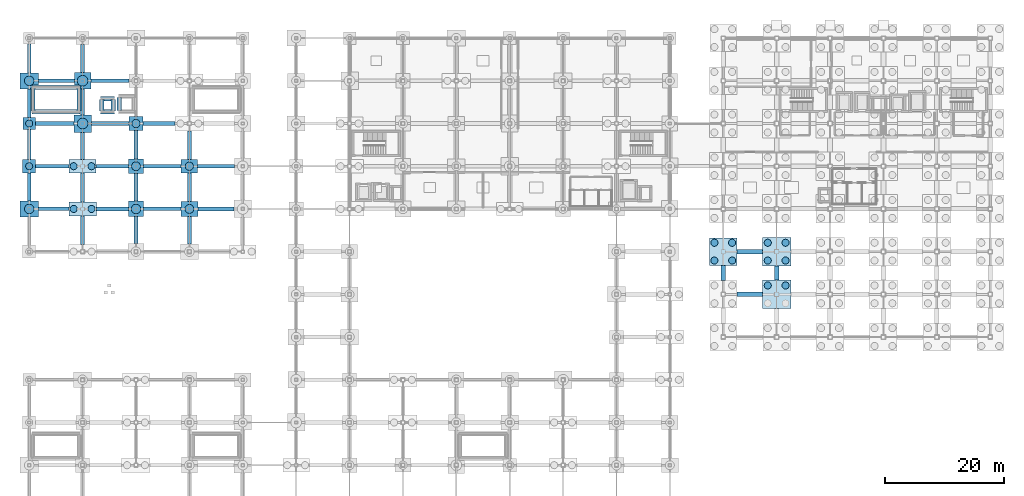
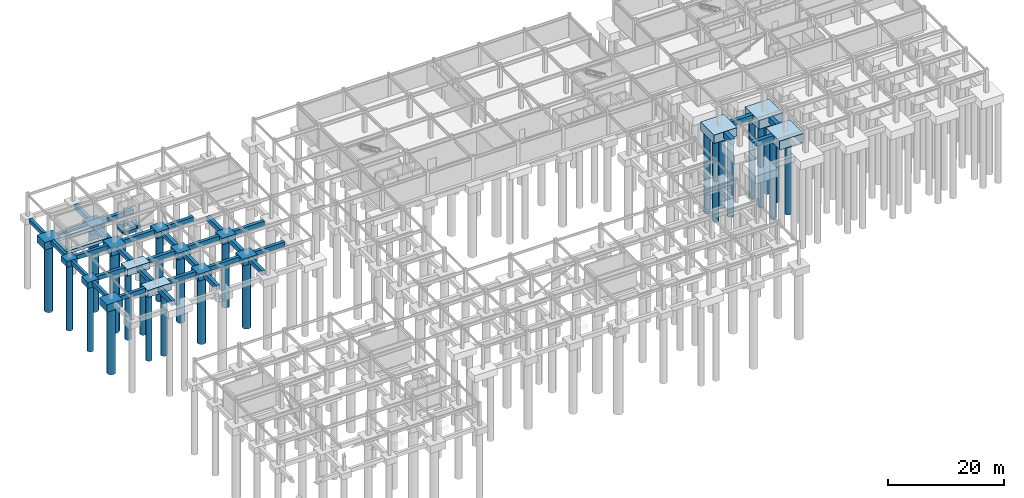
# One storey, part 5 of 28: 57 footings, 25 piles.
"""IFC4 building model written with IfcOpenShell, lengths in metres."""

import ifcopenshell
import ifcopenshell.guid

model = None  # the IFC model being written
_history = None  # IfcOwnerHistory: only IFC2X3 demands one
_inside = {}  # id of a spatial element -> (the spatial element, [elements in it])
_under = {}  # id of a project, library or spatial element -> (it, [spatial elements below it])
_declared = {}  # id of a project -> (the project, [libraries it declares])
_typed = {}  # id of a type object -> (the type object, [elements of that type])
_made_of = {}  # id of a material, layer set ... -> (it, [elements and type objects made of it])


def new_model(schema):
    """Start an empty IFC model of exactly this schema.

    Asked for "IFC4X3", IfcOpenShell would pick the latest addendum, in which some entities
    have other attributes; the version numbers below select the first issue.
    IFC2X3 requires an IfcOwnerHistory on every rooted entity: one is made here for all.
    """
    global model, _history
    if schema == "IFC4X3":
        model = ifcopenshell.file(schema_version=(4, 3, 0, 0))
    else:
        model = ifcopenshell.file(schema=schema)
    _inside.clear()
    _under.clear()
    _declared.clear()
    _typed.clear()
    _made_of.clear()
    _history = None
    if model.schema == "IFC2X3":
        org = make("IfcOrganization", Name="unknown")
        user = make(
            "IfcPersonAndOrganization",
            ThePerson=make("IfcPerson", FamilyName="unknown"),
            TheOrganization=org,
        )
        app = make(
            "IfcApplication",
            ApplicationDeveloper=org,
            Version="unknown",
            ApplicationFullName="unknown",
            ApplicationIdentifier="unknown",
        )
        _history = make(
            "IfcOwnerHistory",
            OwningUser=user,
            OwningApplication=app,
            ChangeAction="ADDED",
            CreationDate=0,
        )
    return model


def make(cls, **values):
    """One entity of the class cls with the attributes given. An attribute that is None is left unset."""
    return model.create_entity(
        cls, **{name: value for name, value in values.items() if value is not None}
    )


def rooted(cls, **values):
    """An entity with a GlobalId (a new one), such as an element, a storey or a relation."""
    return make(cls, GlobalId=ifcopenshell.guid.new(), OwnerHistory=_history, **values)


def si_unit(unit_type, name, prefix=None):
    """IfcSIUnit, for example si_unit("LENGTHUNIT", "METRE", prefix="MILLI")."""
    return make("IfcSIUnit", UnitType=unit_type, Prefix=prefix, Name=name)


def assignment(units):
    """IfcUnitAssignment: the units of a project."""
    return None if units is None else make("IfcUnitAssignment", Units=units)


def point(xyz):
    """IfcCartesianPoint."""
    return None if xyz is None else make("IfcCartesianPoint", Coordinates=xyz)


def direction(xyz):
    """IfcDirection."""
    return None if xyz is None else make("IfcDirection", DirectionRatios=xyz)


def frame(location, z_axis=None, x_axis=None):
    """IfcAxis2Placement3D, a coordinate frame: its origin and axes. An axis left out is left unset."""
    return make(
        "IfcAxis2Placement3D",
        Location=point(location),
        Axis=direction(z_axis),
        RefDirection=direction(x_axis),
    )


def frame_2d(location, x_axis=None):
    """IfcAxis2Placement2D, a coordinate frame in the plane: its origin and x axis."""
    return make(
        "IfcAxis2Placement2D", Location=point(location), RefDirection=direction(x_axis)
    )


def origin():
    """The frame at (0, 0, 0) with its axes left unset."""
    return frame((0.0, 0.0, 0.0))


def origin_2d():
    """The frame at (0, 0) in the plane with its x axis left unset."""
    return frame_2d((0.0, 0.0))


def place(relative_to, where):
    """IfcLocalPlacement: puts the frame where relative to a parent placement (None: the world)."""
    return make(
        "IfcLocalPlacement", PlacementRelTo=relative_to, RelativePlacement=where
    )


def context(
    kind, dimensions, precision=None, world=None, true_north=None, identifier=None
):
    """IfcGeometricRepresentationContext, for example the 3D "Model" context."""
    return make(
        "IfcGeometricRepresentationContext",
        ContextIdentifier=identifier,
        ContextType=kind,
        CoordinateSpaceDimension=dimensions,
        Precision=precision,
        WorldCoordinateSystem=world,
        TrueNorth=true_north,
    )


def subcontext(parent, identifier, kind, view, scale=None):
    """IfcGeometricRepresentationSubContext, for example "Body" below "Model"."""
    return make(
        "IfcGeometricRepresentationSubContext",
        ContextIdentifier=identifier,
        ContextType=kind,
        ParentContext=parent,
        TargetScale=scale,
        TargetView=view,
    )


def project(units=None, contexts=None):
    """IfcProject with its units and contexts."""
    return rooted(
        "IfcProject",
        Name="project",
        RepresentationContexts=contexts,
        UnitsInContext=assignment(units),
    )


def spatial(cls, under=None, at=None, **own):
    """A site, building, storey or space (cls), placed at a placement, below another one or the project."""
    s = rooted(cls, ObjectPlacement=at, **own)
    if under is not None:
        _under.setdefault(under.id(), (under, []))[1].append(s)
    return s


def profile(cls, at=None, kind="AREA", **sizes):
    """A parametric profile (cls). Its sizes go by their IFC names, for example OverallWidth=200.0."""
    return make(cls, ProfileType=kind, Position=at, **sizes)


def rectangle(**sizes):
    """IfcRectangleProfileDef."""
    return profile("IfcRectangleProfileDef", **sizes)


def circle(**sizes):
    """IfcCircleProfileDef."""
    return profile("IfcCircleProfileDef", **sizes)


def extrude(swept, where, along, depth):
    """IfcExtrudedAreaSolid: the profile swept, set in the frame where, extruded along a direction by depth."""
    return make(
        "IfcExtrudedAreaSolid",
        SweptArea=swept,
        Position=where,
        ExtrudedDirection=direction(along),
        Depth=depth,
    )


def shape(context_of_items, identifier, shape_type, items):
    """IfcShapeRepresentation: the items that make up one representation, for example the "Body"."""
    return make(
        "IfcShapeRepresentation",
        ContextOfItems=context_of_items,
        RepresentationIdentifier=identifier,
        RepresentationType=shape_type,
        Items=items,
    )


def material(Name=None, Category=None):
    """IfcMaterial."""
    return make("IfcMaterial", Name=Name, Category=Category)


def material_profile(
    of_material, cross_section, Name=None, Category=None, Priority=None
):
    """IfcMaterialProfile: a cross section and its material."""
    return make(
        "IfcMaterialProfile",
        Name=Name,
        Material=of_material,
        Profile=cross_section,
        Priority=Priority,
        Category=Category,
    )


def profile_set(profiles, Name=None, composite=None):
    """IfcMaterialProfileSet."""
    return make(
        "IfcMaterialProfileSet",
        Name=Name,
        MaterialProfiles=profiles,
        CompositeProfile=composite,
    )


def made_of(thing, what):
    """Note that an element or type object is made of a material, layer set ...; save() writes the relation."""
    if what is not None:
        _made_of.setdefault(what.id(), (what, []))[1].append(thing)
    return thing


def type_object(cls, material=None, **own):
    """A type object (cls), such as IfcWallType, which elements share."""
    return made_of(rooted(cls, **own), material)


def element(
    cls,
    number,
    at=None,
    inside=None,
    cuts=None,
    type_object=None,
    material=None,
    context=None,
    identifier="Body",
    shape_type=None,
    held_by="IfcProductDefinitionShape",
    body=None,
    shapes=None,
    **own,
):
    """One element of the class cls, such as IfcWall. Its Tag is "e" and its number.

    at: its placement. inside: the storey or other place that contains it. cuts: it is an
    opening in that element (IfcRelVoidsElement). A single representation is given by context,
    identifier, shape_type and body (its items); several are given by shapes. held_by: the class
    of the entity that holds the representations. save() writes the other relations.
    """
    e = rooted(cls, Tag="e%d" % number, ObjectPlacement=at, **own)
    if body is not None:
        shapes = [shape(context, identifier, shape_type, body)]
    if shapes is not None:
        e.Representation = make(held_by, Representations=shapes)
    if inside is not None:
        _inside.setdefault(inside.id(), (inside, []))[1].append(e)
    if cuts is not None:
        rooted(
            "IfcRelVoidsElement", RelatingBuildingElement=cuts, RelatedOpeningElement=e
        )
    if type_object is not None:
        _typed.setdefault(type_object.id(), (type_object, []))[1].append(e)
    return made_of(e, material)


def aggregate(whole, parts):
    """IfcRelAggregates: a whole, such as a stair, and the parts it consists of."""
    return rooted("IfcRelAggregates", RelatingObject=whole, RelatedObjects=parts)


def save(model, path):
    """Write the relations noted so far, then the file.

    IfcRelAggregates (storeys below a building ...), IfcRelContainedInSpatialStructure (elements
    in a storey), IfcRelDefinesByType, IfcRelAssociatesMaterial and IfcRelDeclares: one each for
    every whole, place, type object, material and project.
    """
    for whole, parts in _under.values():
        aggregate(whole, parts)
    for where, things in _inside.values():
        rooted(
            "IfcRelContainedInSpatialStructure",
            RelatedElements=things,
            RelatingStructure=where,
        )
    for kind, things in _typed.values():
        rooted("IfcRelDefinesByType", RelatedObjects=things, RelatingType=kind)
    for what, things in _made_of.values():
        rooted("IfcRelAssociatesMaterial", RelatedObjects=things, RelatingMaterial=what)
    for by, libraries in _declared.values():
        rooted("IfcRelDeclares", RelatingContext=by, RelatedDefinitions=libraries)
    model.write(path)


model = new_model("IFC4")

# Units and contexts
model_context = context("Model", 3, precision=1e-05, world=origin(), true_north=direction((0.0, 1.0)))
body_context = subcontext(model_context, "Body", "Model", "MODEL_VIEW")
ifc_project = project(units=[si_unit("LENGTHUNIT", "METRE"), si_unit("AREAUNIT", "SQUARE_METRE"), si_unit("VOLUMEUNIT", "CUBIC_METRE"), si_unit("PLANEANGLEUNIT", "RADIAN"), si_unit("MASSUNIT", "GRAM", prefix="KILO")], contexts=[model_context])

# Site, building, storey
site_placement = place(None, origin())
site = spatial("IfcSite", under=ifc_project, at=site_placement, CompositionType="ELEMENT")
building_placement = place(site_placement, origin())
building = spatial("IfcBuilding", under=site, at=building_placement, Name="Kazanami Central Library", CompositionType="ELEMENT")
storey_placement = place(building_placement, frame((0.0, 0.0, -4.89990234375)))
storey = spatial("IfcBuildingStorey", under=building, at=storey_placement, Name="B01", CompositionType="ELEMENT", Elevation=-4.89990234375)

# Footings
ifc_material = material(Name="Concrete Fc36 (36 MPa)", Category="concrete")
ifc_material_profile_1 = material_profile(ifc_material, rectangle(XDim=0.550048828125, YDim=0.85009765625, at=origin_2d()), Name="RC-550x850")
ifc_profile_set_1 = profile_set([ifc_material_profile_1], Name="Concrete Fc36 (36 MPa)")
footing_type_1 = type_object("IfcFootingType", Name="FTG-GB-01", PredefinedType="FOOTING_BEAM", material=ifc_profile_set_1)
footing_1_placement = place(storey_placement, frame((0.0, 66.14990234375, -0.425048828125), z_axis=(0.0, 1.0, 0.0), x_axis=(-1.0, 0.0, 0.0)))
element("IfcFooting", 1, at=footing_1_placement, inside=storey, type_object=footing_type_1, Name="Ground Tie Beam GB-01 1/K-L", PredefinedType="FOOTING_BEAM", context=body_context, shape_type="SweptSolid", body=[
    extrude(rectangle(XDim=0.550048828125, YDim=0.85009765625, at=origin_2d()), origin(), (0.0, 0.0, 1.0), 4.75),
])
footing_2_placement = place(storey_placement, frame((0.0, 73.10009765625, -0.425048828125), z_axis=(0.0, 1.0, 0.0), x_axis=(-1.0, 0.0, 0.0)))
element("IfcFooting", 2, at=footing_2_placement, inside=storey, type_object=footing_type_1, Name="Ground Tie Beam GB-01 1/L-M", PredefinedType="FOOTING_BEAM", context=body_context, shape_type="SweptSolid", body=[
    extrude(rectangle(XDim=0.550048828125, YDim=0.85009765625, at=origin_2d()), origin(), (0.0, 0.0, 1.0), 5.0498046875),
])
footing_3_placement = place(storey_placement, frame((0.0, 80.25, -0.425048828125), z_axis=(0.0, 1.0, 0.0), x_axis=(-1.0, 0.0, 0.0)))
element("IfcFooting", 3, at=footing_3_placement, inside=storey, type_object=footing_type_1, Name="Ground Tie Beam GB-01 1/M-N", PredefinedType="FOOTING_BEAM", context=body_context, shape_type="SweptSolid", body=[
    extrude(rectangle(XDim=0.550048828125, YDim=0.85009765625, at=origin_2d()), origin(), (0.0, 0.0, 1.0), 4.800048828125),
])
footing_4_placement = place(storey_placement, frame((0.0, 87.75, -0.425048828125), z_axis=(0.0, 1.0, 0.0), x_axis=(-1.0, 0.0, 0.0)))
element("IfcFooting", 4, at=footing_4_placement, inside=storey, type_object=footing_type_1, Name="Ground Tie Beam GB-01 1/N-O", PredefinedType="FOOTING_BEAM", context=body_context, shape_type="SweptSolid", body=[
    extrude(rectangle(XDim=0.550048828125, YDim=0.85009765625, at=origin_2d()), origin(), (0.0, 0.0, 1.0), 4.875),
])
ifc_material_profile_2 = material_profile(ifc_material, rectangle(XDim=0.60009765625, YDim=0.89990234375, at=origin_2d()), Name="RC-600x900")
ifc_profile_set_2 = profile_set([ifc_material_profile_2], Name="Concrete Fc36 (36 MPa)")
footing_type_2 = type_object("IfcFootingType", Name="FTG-GB-02", PredefinedType="FOOTING_BEAM", material=ifc_profile_set_2)
footing_5_placement = place(storey_placement, frame((1.550048828125, 64.800048828125, -0.4501953125), z_axis=(1.0, 0.0, 0.0), x_axis=(0.0, 1.0, 0.0)))
element("IfcFooting", 5, at=footing_5_placement, inside=storey, type_object=footing_type_2, Name="Ground Tie Beam GB-02 K/1-2", PredefinedType="FOOTING_BEAM", context=body_context, shape_type="SweptSolid", body=[
    extrude(rectangle(XDim=0.60009765625, YDim=0.89990234375, at=origin_2d()), origin(), (0.0, 0.0, 1.0), 5.125),
])
footing_6_placement = place(storey_placement, frame((19.300048828125, 64.800048828125, -0.4501953125), z_axis=(1.0, 0.0, 0.0), x_axis=(0.0, 1.0, 0.0)))
element("IfcFooting", 6, at=footing_6_placement, inside=storey, type_object=footing_type_2, Name="Ground Tie Beam GB-02 K/3-4", PredefinedType="FOOTING_BEAM", context=body_context, shape_type="SweptSolid", body=[
    extrude(rectangle(XDim=0.60009765625, YDim=0.89990234375, at=origin_2d()), origin(), (0.0, 0.0, 1.0), 6.25),
])
footing_7_placement = place(storey_placement, frame((1.10009765625, 72.0, -0.4501953125), z_axis=(1.0, 0.0, 0.0), x_axis=(0.0, 1.0, 0.0)))
element("IfcFooting", 7, at=footing_7_placement, inside=storey, type_object=footing_type_2, Name="Ground Tie Beam GB-02 L/1-2", PredefinedType="FOOTING_BEAM", context=body_context, shape_type="SweptSolid", body=[
    extrude(rectangle(XDim=0.60009765625, YDim=0.89990234375, at=origin_2d()), origin(), (0.0, 0.0, 1.0), 5.64990234375),
])
footing_8_placement = place(storey_placement, frame((19.25, 72.0, -0.4501953125), z_axis=(1.0, 0.0, 0.0), x_axis=(0.0, 1.0, 0.0)))
element("IfcFooting", 8, at=footing_8_placement, inside=storey, type_object=footing_type_2, Name="Ground Tie Beam GB-02 L/3-4", PredefinedType="FOOTING_BEAM", context=body_context, shape_type="SweptSolid", body=[
    extrude(rectangle(XDim=0.60009765625, YDim=0.89990234375, at=origin_2d()), origin(), (0.0, 0.0, 1.0), 6.375),
])
footing_9_placement = place(storey_placement, frame((1.050048828125, 79.199951171875, -0.4501953125), z_axis=(1.0, 0.0, 0.0), x_axis=(0.0, 1.0, 0.0)))
element("IfcFooting", 9, at=footing_9_placement, inside=storey, type_object=footing_type_2, Name="Ground Tie Beam GB-02 M/1-2", PredefinedType="FOOTING_BEAM", context=body_context, shape_type="SweptSolid", body=[
    extrude(rectangle(XDim=0.60009765625, YDim=0.89990234375, at=origin_2d()), origin(), (0.0, 0.0, 1.0), 6.474853515625),
])
footing_10_placement = place(storey_placement, frame((19.199951171875, 79.199951171875, -0.4501953125), z_axis=(1.0, 0.0, 0.0), x_axis=(0.0, 1.0, 0.0)))
element("IfcFooting", 10, at=footing_10_placement, inside=storey, type_object=footing_type_2, Name="Ground Tie Beam GB-02 M/3-4", PredefinedType="FOOTING_BEAM", context=body_context, shape_type="SweptSolid", body=[
    extrude(rectangle(XDim=0.60009765625, YDim=0.89990234375, at=origin_2d()), origin(), (0.0, 0.0, 1.0), 5.400146484375),
])
footing_11_placement = place(storey_placement, frame((1.550048828125, 86.39990234375, -0.4501953125), z_axis=(1.0, 0.0, 0.0), x_axis=(0.0, 1.0, 0.0)))
element("IfcFooting", 11, at=footing_11_placement, inside=storey, type_object=footing_type_2, Name="Ground Tie Beam GB-02 N/1-2", PredefinedType="FOOTING_BEAM", context=body_context, shape_type="SweptSolid", body=[
    extrude(rectangle(XDim=0.60009765625, YDim=0.89990234375, at=origin_2d()), origin(), (0.0, 0.0, 1.0), 6.050048828125),
])
ifc_material_profile_3 = material_profile(ifc_material, rectangle(XDim=0.64990234375, YDim=0.949951171875, at=origin_2d()), Name="RC-650x950")
ifc_profile_set_3 = profile_set([ifc_material_profile_3], Name="Concrete Fc36 (36 MPa)")
footing_type_3 = type_object("IfcFootingType", Name="FTG-GB-03", PredefinedType="FOOTING_BEAM", material=ifc_profile_set_3)
footing_12_placement = place(storey_placement, frame((11.324951171875, 64.800048828125, -0.47509765625), z_axis=(1.0, 0.0, 0.0), x_axis=(0.0, 1.0, 0.0)))
element("IfcFooting", 12, at=footing_12_placement, inside=storey, type_object=footing_type_3, Name="Ground Tie Beam GB-03 K/2-3", PredefinedType="FOOTING_BEAM", context=body_context, shape_type="SweptSolid", body=[
    extrude(rectangle(XDim=0.64990234375, YDim=0.949951171875, at=origin_2d()), origin(), (0.0, 0.0, 1.0), 5.375),
])
footing_13_placement = place(storey_placement, frame((28.449951171875, 64.800048828125, -0.47509765625), z_axis=(1.0, 0.0, 0.0), x_axis=(0.0, 1.0, 0.0)))
element("IfcFooting", 13, at=footing_13_placement, inside=storey, type_object=footing_type_3, Name="Ground Tie Beam GB-03 K/4-5", PredefinedType="FOOTING_BEAM", context=body_context, shape_type="SweptSolid", body=[
    extrude(rectangle(XDim=0.64990234375, YDim=0.949951171875, at=origin_2d()), origin(), (0.0, 0.0, 1.0), 6.074951171875),
])
footing_14_placement = place(storey_placement, frame((11.25, 72.0, -0.47509765625), z_axis=(1.0, 0.0, 0.0), x_axis=(0.0, 1.0, 0.0)))
element("IfcFooting", 14, at=footing_14_placement, inside=storey, type_object=footing_type_3, Name="Ground Tie Beam GB-03 L/2-3", PredefinedType="FOOTING_BEAM", context=body_context, shape_type="SweptSolid", body=[
    extrude(rectangle(XDim=0.64990234375, YDim=0.949951171875, at=origin_2d()), origin(), (0.0, 0.0, 1.0), 5.5),
])
footing_15_placement = place(storey_placement, frame((28.375, 72.0, -0.47509765625), z_axis=(1.0, 0.0, 0.0), x_axis=(0.0, 1.0, 0.0)))
element("IfcFooting", 15, at=footing_15_placement, inside=storey, type_object=footing_type_3, Name="Ground Tie Beam GB-03 L/4-5", PredefinedType="FOOTING_BEAM", context=body_context, shape_type="SweptSolid", body=[
    extrude(rectangle(XDim=0.64990234375, YDim=0.949951171875, at=origin_2d()), origin(), (0.0, 0.0, 1.0), 6.22509765625),
])
footing_16_placement = place(storey_placement, frame((10.47509765625, 79.199951171875, -0.47509765625), z_axis=(1.0, 0.0, 0.0), x_axis=(0.0, 1.0, 0.0)))
element("IfcFooting", 16, at=footing_16_placement, inside=storey, type_object=footing_type_3, Name="Ground Tie Beam GB-03 M/2-3", PredefinedType="FOOTING_BEAM", context=body_context, shape_type="SweptSolid", body=[
    extrude(rectangle(XDim=0.64990234375, YDim=0.949951171875, at=origin_2d()), origin(), (0.0, 0.0, 1.0), 6.324951171875),
])
footing_17_placement = place(storey_placement, frame((10.39990234375, 86.39990234375, -0.47509765625), z_axis=(1.0, 0.0, 0.0), x_axis=(0.0, 1.0, 0.0)))
element("IfcFooting", 17, at=footing_17_placement, inside=storey, type_object=footing_type_3, Name="Ground Tie Beam GB-03 N/2-3", PredefinedType="FOOTING_BEAM", context=body_context, shape_type="SweptSolid", body=[
    extrude(rectangle(XDim=0.64990234375, YDim=0.949951171875, at=origin_2d()), origin(), (0.0, 0.0, 1.0), 6.4501953125),
])
ifc_material_profile_4 = material_profile(ifc_material, rectangle(XDim=0.699951171875, YDim=1.0, at=origin_2d()), Name="RC-700x1000")
ifc_profile_set_4 = profile_set([ifc_material_profile_4], Name="Concrete Fc36 (36 MPa)")
footing_type_4 = type_object("IfcFootingType", Name="FTG-GB-04", PredefinedType="FOOTING_BEAM", material=ifc_profile_set_4)
footing_18_placement = place(storey_placement, frame((9.0, 58.824951171875, -0.5), z_axis=(0.0, 1.0, 0.0), x_axis=(-1.0, 0.0, 0.0)))
element("IfcFooting", 18, at=footing_18_placement, inside=storey, type_object=footing_type_4, Name="Ground Tie Beam GB-04 2/J-K", PredefinedType="FOOTING_BEAM", context=body_context, shape_type="SweptSolid", body=[
    extrude(rectangle(XDim=0.699951171875, YDim=1.0, at=origin_2d()), origin(), (0.0, 0.0, 1.0), 4.800048828125),
])
footing_19_placement = place(storey_placement, frame((9.0, 65.97509765625, -0.5), z_axis=(0.0, 1.0, 0.0), x_axis=(-1.0, 0.0, 0.0)))
element("IfcFooting", 19, at=footing_19_placement, inside=storey, type_object=footing_type_4, Name="Ground Tie Beam GB-04 2/K-L", PredefinedType="FOOTING_BEAM", context=body_context, shape_type="SweptSolid", body=[
    extrude(rectangle(XDim=0.699951171875, YDim=1.0, at=origin_2d()), origin(), (0.0, 0.0, 1.0), 4.89990234375),
])
footing_20_placement = place(storey_placement, frame((9.0, 73.125, -0.5), z_axis=(0.0, 1.0, 0.0), x_axis=(-1.0, 0.0, 0.0)))
element("IfcFooting", 20, at=footing_20_placement, inside=storey, type_object=footing_type_4, Name="Ground Tie Beam GB-04 2/L-M", PredefinedType="FOOTING_BEAM", context=body_context, shape_type="SweptSolid", body=[
    extrude(rectangle(XDim=0.699951171875, YDim=1.0, at=origin_2d()), origin(), (0.0, 0.0, 1.0), 4.60009765625),
])
footing_21_placement = place(storey_placement, frame((9.0, 80.675048828125, -0.5), z_axis=(0.0, 1.0, 0.0), x_axis=(-1.0, 0.0, 0.0)))
element("IfcFooting", 21, at=footing_21_placement, inside=storey, type_object=footing_type_4, Name="Ground Tie Beam GB-04 2/M-N", PredefinedType="FOOTING_BEAM", context=body_context, shape_type="SweptSolid", body=[
    extrude(rectangle(XDim=0.699951171875, YDim=1.0, at=origin_2d()), origin(), (0.0, 0.0, 1.0), 4.324951171875),
])
footing_22_placement = place(storey_placement, frame((9.0, 87.800048828125, -0.5), z_axis=(0.0, 1.0, 0.0), x_axis=(-1.0, 0.0, 0.0)))
element("IfcFooting", 22, at=footing_22_placement, inside=storey, type_object=footing_type_4, Name="Ground Tie Beam GB-04 2/N-O", PredefinedType="FOOTING_BEAM", context=body_context, shape_type="SweptSolid", body=[
    extrude(rectangle(XDim=0.699951171875, YDim=1.0, at=origin_2d()), origin(), (0.0, 0.0, 1.0), 4.699951171875),
])
footing_23_placement = place(storey_placement, frame((18.0, 58.949951171875, -0.5), z_axis=(0.0, 1.0, 0.0), x_axis=(-1.0, 0.0, 0.0)))
element("IfcFooting", 23, at=footing_23_placement, inside=storey, type_object=footing_type_4, Name="Ground Tie Beam GB-04 3/J-K", PredefinedType="FOOTING_BEAM", context=body_context, shape_type="SweptSolid", body=[
    extrude(rectangle(XDim=0.699951171875, YDim=1.0, at=origin_2d()), origin(), (0.0, 0.0, 1.0), 4.550048828125),
])
footing_24_placement = place(storey_placement, frame((18.0, 66.10009765625, -0.5), z_axis=(0.0, 1.0, 0.0), x_axis=(-1.0, 0.0, 0.0)))
element("IfcFooting", 24, at=footing_24_placement, inside=storey, type_object=footing_type_4, Name="Ground Tie Beam GB-04 3/K-L", PredefinedType="FOOTING_BEAM", context=body_context, shape_type="SweptSolid", body=[
    extrude(rectangle(XDim=0.699951171875, YDim=1.0, at=origin_2d()), origin(), (0.0, 0.0, 1.0), 4.64990234375),
])
footing_25_placement = place(storey_placement, frame((18.0, 73.25, -0.5), z_axis=(0.0, 1.0, 0.0), x_axis=(-1.0, 0.0, 0.0)))
element("IfcFooting", 25, at=footing_25_placement, inside=storey, type_object=footing_type_4, Name="Ground Tie Beam GB-04 3/L-M", PredefinedType="FOOTING_BEAM", context=body_context, shape_type="SweptSolid", body=[
    extrude(rectangle(XDim=0.699951171875, YDim=1.0, at=origin_2d()), origin(), (0.0, 0.0, 1.0), 4.75),
])
footing_26_placement = place(storey_placement, frame((27.0, 58.89990234375, -0.5), z_axis=(0.0, 1.0, 0.0), x_axis=(-1.0, 0.0, 0.0)))
element("IfcFooting", 26, at=footing_26_placement, inside=storey, type_object=footing_type_4, Name="Ground Tie Beam GB-04 4/J-K", PredefinedType="FOOTING_BEAM", context=body_context, shape_type="SweptSolid", body=[
    extrude(rectangle(XDim=0.699951171875, YDim=1.0, at=origin_2d()), origin(), (0.0, 0.0, 1.0), 4.650146484375),
])
footing_27_placement = place(storey_placement, frame((27.0, 66.050048828125, -0.5), z_axis=(0.0, 1.0, 0.0), x_axis=(-1.0, 0.0, 0.0)))
element("IfcFooting", 27, at=footing_27_placement, inside=storey, type_object=footing_type_4, Name="Ground Tie Beam GB-04 4/K-L", PredefinedType="FOOTING_BEAM", context=body_context, shape_type="SweptSolid", body=[
    extrude(rectangle(XDim=0.699951171875, YDim=1.0, at=origin_2d()), origin(), (0.0, 0.0, 1.0), 4.77490234375),
])
footing_28_placement = place(storey_placement, frame((27.0, 73.175048828125, -0.5), z_axis=(0.0, 1.0, 0.0), x_axis=(-1.0, 0.0, 0.0)))
element("IfcFooting", 28, at=footing_28_placement, inside=storey, type_object=footing_type_4, Name="Ground Tie Beam GB-04 4/L-M", PredefinedType="FOOTING_BEAM", context=body_context, shape_type="SweptSolid", body=[
    extrude(rectangle(XDim=0.699951171875, YDim=1.0, at=origin_2d()), origin(), (0.0, 0.0, 1.0), 4.800048828125),
])
ifc_material_profile_5 = material_profile(ifc_material, rectangle(XDim=0.75, YDim=1.050048828125, at=origin_2d()), Name="RC-750x1050")
ifc_profile_set_5 = profile_set([ifc_material_profile_5], Name="Concrete Fc36 (36 MPa)")
footing_type_5 = type_object("IfcFootingType", Name="FTG-GB-05", PredefinedType="FOOTING_BEAM", material=ifc_profile_set_5)
for number, where, z_axis, x_axis, name in (
    (29, (119.324951171875, 50.39990234375, -0.525146484375), (1.0, 0.0, 0.0), (0.0, 1.0, 0.0), "Ground Tie Beam GB-05 H/14-15"),
    (30, (119.324951171875, 57.60009765625, -0.525146484375), (1.0, 0.0, 0.0), (0.0, 1.0, 0.0), "Ground Tie Beam GB-05 J/14-15"),
):
    element("IfcFooting", number, at=place(storey_placement, frame(where, z_axis=z_axis, x_axis=x_axis)), inside=storey, type_object=footing_type_5, Name=name, PredefinedType="FOOTING_BEAM", context=body_context, shape_type="SweptSolid", body=[
        extrude(rectangle(XDim=0.75, YDim=1.050048828125, at=origin_2d()), origin(), (0.0, 0.0, 1.0), 4.275146484375),
    ])
ifc_material_profile_6 = material_profile(ifc_material, rectangle(XDim=0.800048828125, YDim=1.14990234375, at=origin_2d()), Name="RC-800x1150")
ifc_profile_set_6 = profile_set([ifc_material_profile_6], Name="Concrete Fc36 (36 MPa)")
footing_type_6 = type_object("IfcFootingType", Name="FTG-GB-06", PredefinedType="FOOTING_BEAM", material=ifc_profile_set_6)
footing_29_placement = place(storey_placement, frame((117.0, 52.72509765625, -0.5751953125), z_axis=(0.0, 1.0, 0.0), x_axis=(-1.0, 0.0, 0.0)))
element("IfcFooting", 31, at=footing_29_placement, inside=storey, type_object=footing_type_6, Name="Ground Tie Beam GB-06 14/H-J", PredefinedType="FOOTING_BEAM", context=body_context, shape_type="SweptSolid", body=[
    extrude(rectangle(XDim=0.800048828125, YDim=1.14990234375, at=origin_2d()), origin(), (0.0, 0.0, 1.0), 2.5498046875),
])
footing_30_placement = place(storey_placement, frame((126.0, 52.800048828125, -0.5751953125), z_axis=(0.0, 1.0, 0.0), x_axis=(-1.0, 0.0, 0.0)))
element("IfcFooting", 32, at=footing_30_placement, inside=storey, type_object=footing_type_6, Name="Ground Tie Beam GB-06 15/H-J", PredefinedType="FOOTING_BEAM", context=body_context, shape_type="SweptSolid", body=[
    extrude(rectangle(XDim=0.800048828125, YDim=1.14990234375, at=origin_2d()), origin(), (0.0, 0.0, 1.0), 2.39990234375),
])
footing_type_7 = type_object("IfcFootingType", Name="FTG-PC-01", PredefinedType="PILE_CAP", material=ifc_material)
for number, where, z_axis, x_axis, name in (
    (33, (126.0, 50.39990234375, -1.85009765625), (0.0, 0.0, 1.0), (1.0, 0.0, 0.0), "Pile Cap PC-01 at 15/H"),
    (34, (126.0, 57.60009765625, -1.85009765625), (0.0, 0.0, 1.0), (1.0, 0.0, 0.0), "Pile Cap PC-01 at 15/J"),
):
    element("IfcFooting", number, at=place(storey_placement, frame(where, z_axis=z_axis, x_axis=x_axis)), inside=storey, type_object=footing_type_7, Name=name, PredefinedType="PILE_CAP", context=body_context, shape_type="SweptSolid", body=[
        extrude(rectangle(XDim=4.800048828125, YDim=4.800048828125, at=origin_2d()), origin(), (0.0, 0.0, 1.0), 1.85009765625),
    ])
footing_type_8 = type_object("IfcFootingType", Name="FTG-PC-02", PredefinedType="PILE_CAP", material=ifc_material)
footing_31_placement = place(storey_placement, frame((117.0, 57.60009765625, -1.75), z_axis=(0.0, 0.0, 1.0), x_axis=(1.0, 0.0, 0.0)))
element("IfcFooting", 35, at=footing_31_placement, inside=storey, type_object=footing_type_8, Name="Pile Cap PC-02 at 14/J", PredefinedType="PILE_CAP", context=body_context, shape_type="SweptSolid", body=[
    extrude(rectangle(XDim=4.64990234375, YDim=4.64990234375, at=origin_2d()), origin(), (0.0, 0.0, 1.0), 1.75),
])
footing_type_9 = type_object("IfcFootingType", Name="FTG-PC-05", PredefinedType="PILE_CAP", material=ifc_material)
footing_32_placement = place(storey_placement, frame((9.0, 64.800048828125, -1.47998046875), z_axis=(0.0, 0.0, 1.0), x_axis=(1.0, 0.0, 0.0)))
element("IfcFooting", 36, at=footing_32_placement, inside=storey, type_object=footing_type_9, Name="Pile Cap PC-05 at 2/K", PredefinedType="PILE_CAP", context=body_context, shape_type="SweptSolid", body=[
    extrude(rectangle(XDim=4.64990234375, YDim=2.35009765625, at=origin_2d()), origin(), (0.0, 0.0, 1.0), 1.47998046875),
])
footing_type_10 = type_object("IfcFootingType", Name="FTG-PC-06", PredefinedType="PILE_CAP", material=ifc_material)
footing_33_placement = place(storey_placement, frame((9.0, 72.0, -1.420166015625), z_axis=(0.0, 0.0, 1.0), x_axis=(1.0, 0.0, 0.0)))
element("IfcFooting", 37, at=footing_33_placement, inside=storey, type_object=footing_type_10, Name="Pile Cap PC-06 at 2/L", PredefinedType="PILE_CAP", context=body_context, shape_type="SweptSolid", body=[
    extrude(rectangle(XDim=4.5, YDim=2.25, at=origin_2d()), origin(), (0.0, 0.0, 1.0), 1.419921875),
])
footing_type_11 = type_object("IfcFootingType", Name="FTG-PC-07", PredefinedType="PILE_CAP", material=ifc_material)
footing_34_placement = place(storey_placement, frame((9.0, 79.199951171875, -1.650146484375), z_axis=(0.0, 0.0, 1.0), x_axis=(1.0, 0.0, 0.0)))
element("IfcFooting", 38, at=footing_34_placement, inside=storey, type_object=footing_type_11, Name="Pile Cap PC-07 at 2/M", PredefinedType="PILE_CAP", context=body_context, shape_type="SweptSolid", body=[
    extrude(rectangle(XDim=2.949951171875, YDim=2.949951171875, at=origin_2d()), origin(), (0.0, 0.0, 1.0), 1.64990234375),
])
footing_type_12 = type_object("IfcFootingType", Name="FTG-PC-08", PredefinedType="PILE_CAP", material=ifc_material)
footing_35_placement = place(storey_placement, frame((9.0, 86.39990234375, -1.60009765625), z_axis=(0.0, 0.0, 1.0), x_axis=(1.0, 0.0, 0.0)))
element("IfcFooting", 39, at=footing_35_placement, inside=storey, type_object=footing_type_12, Name="Pile Cap PC-08 at 2/N", PredefinedType="PILE_CAP", context=body_context, shape_type="SweptSolid", body=[
    extrude(rectangle(XDim=2.800048828125, YDim=2.800048828125, at=origin_2d()), origin(), (0.0, 0.0, 1.0), 1.60009765625),
])
footing_type_13 = type_object("IfcFootingType", Name="FTG-PC-10", PredefinedType="PILE_CAP", material=ifc_material)
footing_36_placement = place(storey_placement, frame((18.0, 64.800048828125, -1.47998046875), z_axis=(0.0, 0.0, 1.0), x_axis=(1.0, 0.0, 0.0)))
element("IfcFooting", 40, at=footing_36_placement, inside=storey, type_object=footing_type_13, Name="Pile Cap PC-10 at 3/K", PredefinedType="PILE_CAP", context=body_context, shape_type="SweptSolid", body=[
    extrude(rectangle(XDim=2.60009765625, YDim=2.60009765625, at=origin_2d()), origin(), (0.0, 0.0, 1.0), 1.47998046875),
])
footing_type_14 = type_object("IfcFootingType", Name="FTG-PC-11", PredefinedType="PILE_CAP", material=ifc_material)
footing_37_placement = place(storey_placement, frame((18.0, 72.0, -1.420166015625), z_axis=(0.0, 0.0, 1.0), x_axis=(1.0, 0.0, 0.0)))
element("IfcFooting", 41, at=footing_37_placement, inside=storey, type_object=footing_type_14, Name="Pile Cap PC-11 at 3/L", PredefinedType="PILE_CAP", context=body_context, shape_type="SweptSolid", body=[
    extrude(rectangle(XDim=2.5, YDim=2.5, at=origin_2d()), origin(), (0.0, 0.0, 1.0), 1.419921875),
])
footing_type_15 = type_object("IfcFootingType", Name="FTG-PC-12", PredefinedType="PILE_CAP", material=ifc_material)
footing_38_placement = place(storey_placement, frame((18.0, 79.199951171875, -1.3603515625), z_axis=(0.0, 0.0, 1.0), x_axis=(1.0, 0.0, 0.0)))
element("IfcFooting", 42, at=footing_38_placement, inside=storey, type_object=footing_type_15, Name="Pile Cap PC-12 at 3/M", PredefinedType="PILE_CAP", context=body_context, shape_type="SweptSolid", body=[
    extrude(rectangle(XDim=2.39990234375, YDim=2.39990234375, at=origin_2d()), origin(), (0.0, 0.0, 1.0), 1.360107421875),
])
footing_type_16 = type_object("IfcFootingType", Name="FTG-PC-14", PredefinedType="PILE_CAP", material=ifc_material)
footing_39_placement = place(storey_placement, frame((0.0, 72.0, -1.25), z_axis=(0.0, 0.0, 1.0), x_axis=(1.0, 0.0, 0.0)))
element("IfcFooting", 43, at=footing_39_placement, inside=storey, type_object=footing_type_16, Name="Pile Cap PC-14 at 1/L", PredefinedType="PILE_CAP", context=body_context, shape_type="SweptSolid", body=[
    extrude(rectangle(XDim=2.199951171875, YDim=2.199951171875, at=origin_2d()), origin(), (0.0, 0.0, 1.0), 1.25),
])
footing_type_17 = type_object("IfcFootingType", Name="FTG-PC-15", PredefinedType="PILE_CAP", material=ifc_material)
footing_40_placement = place(storey_placement, frame((0.0, 79.199951171875, -1.2001953125), z_axis=(0.0, 0.0, 1.0), x_axis=(1.0, 0.0, 0.0)))
element("IfcFooting", 44, at=footing_40_placement, inside=storey, type_object=footing_type_17, Name="Pile Cap PC-15 at 1/M", PredefinedType="PILE_CAP", context=body_context, shape_type="SweptSolid", body=[
    extrude(rectangle(XDim=2.10009765625, YDim=2.10009765625, at=origin_2d()), origin(), (0.0, 0.0, 1.0), 1.199951171875),
])
footing_type_18 = type_object("IfcFootingType", Name="FTG-PC-17", PredefinedType="PILE_CAP", material=ifc_material)
for number, where, z_axis, x_axis, name in (
    (45, (0.0, 64.800048828125, -1.580078125), (0.0, 0.0, 1.0), (1.0, 0.0, 0.0), "Pile Cap PC-17 at 1/K"),
    (46, (0.0, 86.39990234375, -1.580078125), (0.0, 0.0, 1.0), (1.0, 0.0, 0.0), "Pile Cap PC-17 at 1/N"),
):
    element("IfcFooting", number, at=place(storey_placement, frame(where, z_axis=z_axis, x_axis=x_axis)), inside=storey, type_object=footing_type_18, Name=name, PredefinedType="PILE_CAP", context=body_context, shape_type="SweptSolid", body=[
        extrude(rectangle(XDim=3.10009765625, YDim=2.699951171875, at=origin_2d()), origin(), (0.0, 0.0, 1.0), 1.580078125),
    ])
footing_type_19 = type_object("IfcFootingType", Name="FTG-PC-19", PredefinedType="PILE_CAP", material=ifc_material)
footing_41_placement = place(storey_placement, frame((27.0, 64.800048828125, -1.440185546875), z_axis=(0.0, 0.0, 1.0), x_axis=(1.0, 0.0, 0.0)))
element("IfcFooting", 47, at=footing_41_placement, inside=storey, type_object=footing_type_19, Name="Pile Cap PC-19 at 4/K", PredefinedType="PILE_CAP", context=body_context, shape_type="SweptSolid", body=[
    extrude(rectangle(XDim=2.89990234375, YDim=2.5, at=origin_2d()), origin(), (0.0, 0.0, 1.0), 1.43994140625),
])
footing_type_20 = type_object("IfcFootingType", Name="FTG-PC-20", PredefinedType="PILE_CAP", material=ifc_material)
footing_42_placement = place(storey_placement, frame((27.0, 72.0, -1.380126953125), z_axis=(0.0, 0.0, 1.0), x_axis=(1.0, 0.0, 0.0)))
element("IfcFooting", 48, at=footing_42_placement, inside=storey, type_object=footing_type_20, Name="Pile Cap PC-20 at 4/L", PredefinedType="PILE_CAP", context=body_context, shape_type="SweptSolid", body=[
    extrude(rectangle(XDim=2.75, YDim=2.35009765625, at=origin_2d()), origin(), (0.0, 0.0, 1.0), 1.3798828125),
])
ifc_material_profile_7 = material_profile(ifc_material, rectangle(XDim=0.75, YDim=0.64990234375, at=origin_2d()), Name="RC-750x650")
ifc_profile_set_7 = profile_set([ifc_material_profile_7], Name="Concrete Fc36 (36 MPa)")
footing_type_21 = type_object("IfcFootingType", Name="FTG-SF-750", PredefinedType="STRIP_FOOTING", material=ifc_profile_set_7)
for number, where, z_axis, x_axis, name in (
    (49, (0.449951171875, 81.199951171875, -0.3251953125), (1.0, 0.0, 0.0), (0.0, 1.0, 0.0), "Stair Core Strip Footing ST-05 S"),
    (50, (0.449951171875, 85.300048828125, -0.3251953125), (1.0, 0.0, 0.0), (0.0, 1.0, 0.0), "Stair Core Strip Footing ST-05 N"),
):
    element("IfcFooting", number, at=place(storey_placement, frame(where, z_axis=z_axis, x_axis=x_axis)), inside=storey, type_object=footing_type_21, Name=name, PredefinedType="STRIP_FOOTING", context=body_context, shape_type="SweptSolid", body=[
        extrude(rectangle(XDim=0.75, YDim=0.64990234375, at=origin_2d()), origin(), (0.0, 0.0, 1.0), 8.10009765625),
    ])
for number, where, z_axis, x_axis, name in (
    (51, (0.60009765625, 81.35009765625, -0.3251953125), (0.0, 1.0, 0.0), (-1.0, 0.0, 0.0), "Stair Core Strip Footing ST-05 W"),
    (52, (8.39990234375, 81.35009765625, -0.3251953125), (0.0, 1.0, 0.0), (-1.0, 0.0, 0.0), "Stair Core Strip Footing ST-05 E"),
):
    element("IfcFooting", number, at=place(storey_placement, frame(where, z_axis=z_axis, x_axis=x_axis)), inside=storey, type_object=footing_type_21, Name=name, PredefinedType="STRIP_FOOTING", context=body_context, shape_type="SweptSolid", body=[
        extrude(rectangle(XDim=0.75, YDim=0.64990234375, at=origin_2d()), origin(), (0.0, 0.0, 1.0), 3.7998046875),
    ])
footing_43_placement = place(storey_placement, frame((15.199951171875, 81.375, -0.3251953125), z_axis=(0.0, 1.0, 0.0), x_axis=(-1.0, 0.0, 0.0)))
element("IfcFooting", 53, at=footing_43_placement, inside=storey, type_object=footing_type_21, Name="Lift Pit Strip Footing EL-P4 W", PredefinedType="STRIP_FOOTING", context=body_context, shape_type="SweptSolid", body=[
    extrude(rectangle(XDim=0.75, YDim=0.64990234375, at=origin_2d()), origin(), (0.0, 0.0, 1.0), 2.25),
])
for number, where, z_axis, x_axis, name in (
    (54, (12.050048828125, 81.199951171875, -0.3251953125), (1.0, 0.0, 0.0), (0.0, 1.0, 0.0), "Riser Shaft Strip Footing RSR-V4-A S"),
    (55, (12.050048828125, 83.39990234375, -0.3251953125), (1.0, 0.0, 0.0), (0.0, 1.0, 0.0), "Riser Shaft Strip Footing RSR-V4-A N"),
):
    element("IfcFooting", number, at=place(storey_placement, frame(where, z_axis=z_axis, x_axis=x_axis)), inside=storey, type_object=footing_type_21, Name=name, PredefinedType="STRIP_FOOTING", context=body_context, shape_type="SweptSolid", body=[
        extrude(rectangle(XDim=0.75, YDim=0.64990234375, at=origin_2d()), origin(), (0.0, 0.0, 1.0), 2.300048828125),
    ])
for number, where, z_axis, x_axis, name in (
    (56, (12.199951171875, 81.35009765625, -0.3251953125), (0.0, 1.0, 0.0), (-1.0, 0.0, 0.0), "Riser Shaft Strip Footing RSR-V4-A W"),
    (57, (14.199951171875, 81.35009765625, -0.3251953125), (0.0, 1.0, 0.0), (-1.0, 0.0, 0.0), "Riser Shaft Strip Footing RSR-V4-A E"),
):
    element("IfcFooting", number, at=place(storey_placement, frame(where, z_axis=z_axis, x_axis=x_axis)), inside=storey, type_object=footing_type_21, Name=name, PredefinedType="STRIP_FOOTING", context=body_context, shape_type="SweptSolid", body=[
        extrude(rectangle(XDim=0.75, YDim=0.64990234375, at=origin_2d()), origin(), (0.0, 0.0, 1.0), 1.89990234375),
    ])

# Piles
ifc_material_profile_8 = material_profile(ifc_material, circle(Radius=0.60009765625, at=origin_2d()), Name="BORED-D1200")
ifc_profile_set_8 = profile_set([ifc_material_profile_8], Name="Concrete Fc36 (36 MPa)")
pile_type_1 = type_object("IfcPileType", Name="PIL-PL-12", PredefinedType="BORED", material=ifc_profile_set_8)
for number, where, z_axis, x_axis, name in (
    (58, (0.0, 72.0, -1.25), (0.0, 0.0, -1.0), (1.0, 0.0, 0.0), "Bored Pile PL-12 1/L-1"),
    (59, (0.0, 79.199951171875, -1.2001953125), (0.0, 0.0, -1.0), (1.0, 0.0, 0.0), "Bored Pile PL-12 1/M-1"),
    (60, (7.5, 64.800048828125, -1.47998046875), (0.0, 0.0, -1.0), (1.0, 0.0, 0.0), "Bored Pile PL-12 2/K-1"),
    (61, (10.5, 64.800048828125, -1.47998046875), (0.0, 0.0, -1.0), (1.0, 0.0, 0.0), "Bored Pile PL-12 2/K-2"),
    (62, (7.5, 72.0, -1.420166015625), (0.0, 0.0, -1.0), (1.0, 0.0, 0.0), "Bored Pile PL-12 2/L-1"),
    (63, (10.5, 72.0, -1.420166015625), (0.0, 0.0, -1.0), (1.0, 0.0, 0.0), "Bored Pile PL-12 2/L-2"),
):
    element("IfcPile", number, at=place(storey_placement, frame(where, z_axis=z_axis, x_axis=x_axis)), inside=storey, type_object=pile_type_1, Name=name, PredefinedType="BORED", context=body_context, shape_type="SweptSolid", body=[
        extrude(circle(Radius=0.60009765625, at=origin_2d()), origin(), (0.0, 0.0, 1.0), 14.0),
    ])
for number, where, z_axis, x_axis, name in (
    (64, (115.5, 56.10009765625, -1.75), (0.0, 0.0, -1.0), (1.0, 0.0, 0.0), "Bored Pile PL-12 14/J-1"),
    (65, (118.5, 56.10009765625, -1.75), (0.0, 0.0, -1.0), (1.0, 0.0, 0.0), "Bored Pile PL-12 14/J-2"),
    (66, (115.5, 59.10009765625, -1.75), (0.0, 0.0, -1.0), (1.0, 0.0, 0.0), "Bored Pile PL-12 14/J-3"),
    (67, (118.5, 59.10009765625, -1.75), (0.0, 0.0, -1.0), (1.0, 0.0, 0.0), "Bored Pile PL-12 14/J-4"),
    (68, (124.5, 51.89990234375, -1.85009765625), (0.0, 0.0, -1.0), (1.0, 0.0, 0.0), "Bored Pile PL-12 15/H-3"),
    (69, (127.5, 51.89990234375, -1.85009765625), (0.0, 0.0, -1.0), (1.0, 0.0, 0.0), "Bored Pile PL-12 15/H-4"),
    (70, (124.5, 56.10009765625, -1.85009765625), (0.0, 0.0, -1.0), (1.0, 0.0, 0.0), "Bored Pile PL-12 15/J-1"),
    (71, (127.5, 56.10009765625, -1.85009765625), (0.0, 0.0, -1.0), (1.0, 0.0, 0.0), "Bored Pile PL-12 15/J-2"),
    (72, (124.5, 59.10009765625, -1.85009765625), (0.0, 0.0, -1.0), (1.0, 0.0, 0.0), "Bored Pile PL-12 15/J-3"),
    (73, (127.5, 59.10009765625, -1.85009765625), (0.0, 0.0, -1.0), (1.0, 0.0, 0.0), "Bored Pile PL-12 15/J-4"),
):
    element("IfcPile", number, at=place(storey_placement, frame(where, z_axis=z_axis, x_axis=x_axis)), inside=storey, type_object=pile_type_1, Name=name, PredefinedType="BORED", context=body_context, shape_type="SweptSolid", body=[
        extrude(circle(Radius=0.60009765625, at=origin_2d()), origin(), (0.0, 0.0, 1.0), 17.0),
    ])
ifc_material_profile_9 = material_profile(ifc_material, circle(Radius=0.699951171875, at=origin_2d()), Name="BORED-D1400")
ifc_profile_set_9 = profile_set([ifc_material_profile_9], Name="Concrete Fc36 (36 MPa)")
pile_type_2 = type_object("IfcPileType", Name="PIL-PL-14", PredefinedType="BORED", material=ifc_profile_set_9)
for number, where, z_axis, x_axis, name in (
    (74, (18.0, 79.199951171875, -1.360107421875), (0.0, 0.0, -1.0), (1.0, 0.0, 0.0), "Bored Pile PL-14 3/M-1"),
    (75, (27.0, 72.0, -1.380126953125), (0.0, 0.0, -1.0), (1.0, 0.0, 0.0), "Bored Pile PL-14 4/L-1"),
):
    element("IfcPile", number, at=place(storey_placement, frame(where, z_axis=z_axis, x_axis=x_axis)), inside=storey, type_object=pile_type_2, Name=name, PredefinedType="BORED", context=body_context, shape_type="SweptSolid", body=[
        extrude(circle(Radius=0.699951171875, at=origin_2d()), origin(), (0.0, 0.0, 1.0), 14.0),
    ])
ifc_material_profile_10 = material_profile(ifc_material, circle(Radius=0.75, at=origin_2d()), Name="BORED-D1500")
ifc_profile_set_10 = profile_set([ifc_material_profile_10], Name="Concrete Fc36 (36 MPa)")
pile_type_3 = type_object("IfcPileType", Name="PIL-PL-15", PredefinedType="BORED", material=ifc_profile_set_10)
for number, where, z_axis, x_axis, name in (
    (76, (18.0, 72.0, -1.420166015625), (0.0, 0.0, -1.0), (1.0, 0.0, 0.0), "Bored Pile PL-15 3/L-1"),
    (77, (27.0, 64.800048828125, -1.440185546875), (0.0, 0.0, -1.0), (1.0, 0.0, 0.0), "Bored Pile PL-15 4/K-1"),
):
    element("IfcPile", number, at=place(storey_placement, frame(where, z_axis=z_axis, x_axis=x_axis)), inside=storey, type_object=pile_type_3, Name=name, PredefinedType="BORED", context=body_context, shape_type="SweptSolid", body=[
        extrude(circle(Radius=0.75, at=origin_2d()), origin(), (0.0, 0.0, 1.0), 14.0),
    ])
ifc_material_profile_11 = material_profile(ifc_material, circle(Radius=0.800048828125, at=origin_2d()), Name="BORED-D1600")
ifc_profile_set_11 = profile_set([ifc_material_profile_11], Name="Concrete Fc36 (36 MPa)")
pile_type_4 = type_object("IfcPileType", Name="PIL-PL-16", PredefinedType="BORED", material=ifc_profile_set_11)
for number, where, z_axis, x_axis, name in (
    (78, (0.0, 64.800048828125, -1.580078125), (0.0, 0.0, -1.0), (1.0, 0.0, 0.0), "Bored Pile PL-16 1/K-1"),
    (79, (0.0, 86.39990234375, -1.580078125), (0.0, 0.0, -1.0), (1.0, 0.0, 0.0), "Bored Pile PL-16 1/N-1"),
    (80, (18.0, 64.800048828125, -1.47998046875), (0.0, 0.0, -1.0), (1.0, 0.0, 0.0), "Bored Pile PL-16 3/K-1"),
):
    element("IfcPile", number, at=place(storey_placement, frame(where, z_axis=z_axis, x_axis=x_axis)), inside=storey, type_object=pile_type_4, Name=name, PredefinedType="BORED", context=body_context, shape_type="SweptSolid", body=[
        extrude(circle(Radius=0.800048828125, at=origin_2d()), origin(), (0.0, 0.0, 1.0), 14.0),
    ])
ifc_material_profile_12 = material_profile(ifc_material, circle(Radius=0.89990234375, at=origin_2d()), Name="BORED-D1800")
ifc_profile_set_12 = profile_set([ifc_material_profile_12], Name="Concrete Fc36 (36 MPa)")
pile_type_5 = type_object("IfcPileType", Name="PIL-PL-18", PredefinedType="BORED", material=ifc_profile_set_12)
for number, where, z_axis, x_axis, name in (
    (81, (9.0, 79.199951171875, -1.650146484375), (0.0, 0.0, -1.0), (1.0, 0.0, 0.0), "Bored Pile PL-18 2/M-1"),
    (82, (9.0, 86.39990234375, -1.60009765625), (0.0, 0.0, -1.0), (1.0, 0.0, 0.0), "Bored Pile PL-18 2/N-1"),
):
    element("IfcPile", number, at=place(storey_placement, frame(where, z_axis=z_axis, x_axis=x_axis)), inside=storey, type_object=pile_type_5, Name=name, PredefinedType="BORED", context=body_context, shape_type="SweptSolid", body=[
        extrude(circle(Radius=0.89990234375, at=origin_2d()), origin(), (0.0, 0.0, 1.0), 17.0),
    ])

save(model, "model.ifc")
